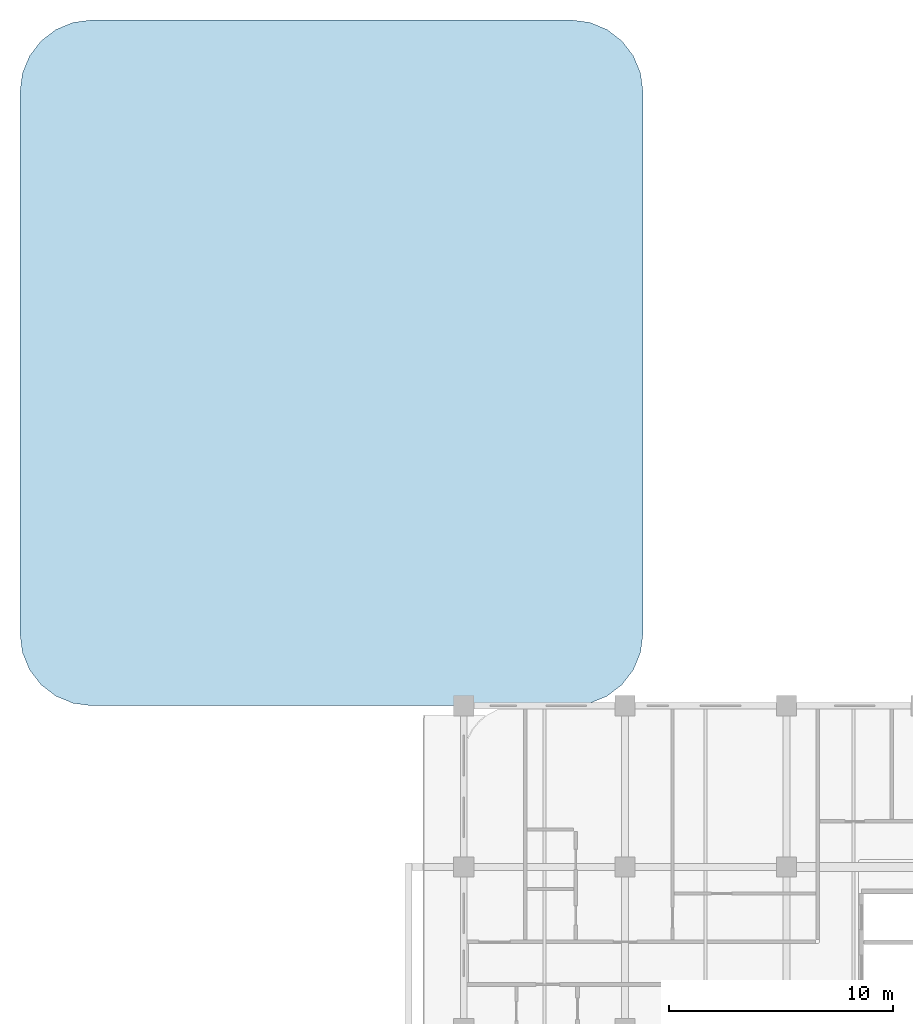
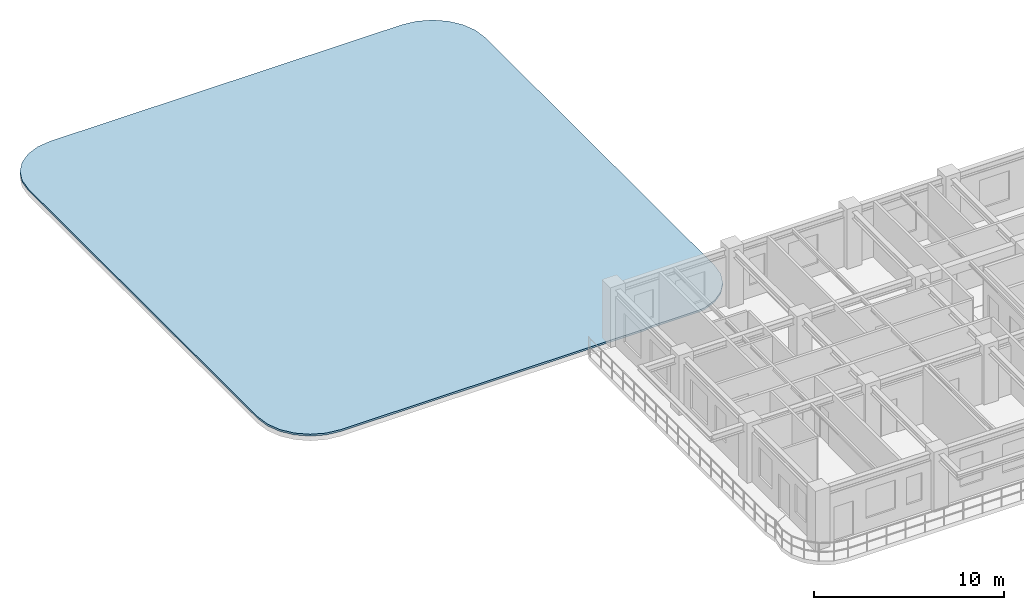
# One storey, part 6 of 8: 1 roof.
"""IFC4 building model written with IfcOpenShell, lengths in metres."""

from ifc_helpers import new_model, si_unit, derived_unit, direction, frame, origin, place, context, subcontext, project, spatial, polyline, outline, extrude, material, layer, layer_set, type_object, element, save


model = new_model("IFC4")

# Units and contexts
model_context = context("Model", 3, precision=1e-05, world=origin(), true_north=direction((0.0, 1.0)))
body_context = subcontext(model_context, "Body", "Model", "MODEL_VIEW")
ifc_project = project(units=[si_unit("LENGTHUNIT", "METRE"), si_unit("AREAUNIT", "SQUARE_METRE"), si_unit("VOLUMEUNIT", "CUBIC_METRE"), si_unit("PLANEANGLEUNIT", "RADIAN"), si_unit("MASSUNIT", "GRAM", prefix="KILO"), si_unit("THERMODYNAMICTEMPERATUREUNIT", "KELVIN"), si_unit("POWERUNIT", "WATT"), derived_unit("THERMALTRANSMITTANCEUNIT", [(si_unit("POWERUNIT", "WATT"), 1), (si_unit("AREAUNIT", "SQUARE_METRE"), -1), (si_unit("THERMODYNAMICTEMPERATUREUNIT", "KELVIN"), -1)])], contexts=[model_context])

# Site, building, storey
site_placement = place(None, origin())
site = spatial("IfcSite", under=ifc_project, at=site_placement, CompositionType="ELEMENT")
building_placement = place(site_placement, origin())
building = spatial("IfcBuilding", under=site, at=building_placement, Name="Zahravan Archway Hotel and Residences", CompositionType="ELEMENT")
storey_placement = place(building_placement, frame((0.0, 0.0, 213.449951171875)))
storey = spatial("IfcBuildingStorey", under=building, at=storey_placement, Name="L53", CompositionType="ELEMENT", Elevation=213.449951171875)

# Roof
ifc_material = material(Name="Insulated Sandstone Ballasted Roof System", Category="masonry")
ifc_layer = layer(ifc_material, 0.1201171875, Name="Insulated Sandstone Ballasted Roof System", Category="masonry")
ifc_layer_set = layer_set([ifc_layer], Name="Insulated Sandstone Ballasted Roof System")
roof_type = type_object("IfcRoofType", Name="RF-CANOPY-FLAT", PredefinedType="FLAT_ROOF", material=ifc_layer_set)
roof_placement = place(storey_placement, origin())
element("IfcRoof", 1, at=roof_placement, inside=storey, type_object=roof_type, Name="Wing B Overhanging Chhajja Roof Assembly", PredefinedType="FLAT_ROOF", context=body_context, shape_type="SweptSolid", body=[
    extrude(outline(polyline([(-2.199951171875, 21.60009765625), (-3.0283203125, 21.708984375), (-3.800048828125, 22.02880859375), (-4.462646484375, 22.537353515625), (-4.97119140625, 23.199951171875), (-5.291015625, 23.9716796875), (-5.39990234375, 24.800048828125), (-5.39990234375, 49.0), (-5.291015625, 49.828125), (-4.97119140625, 50.60009765625), (-4.462646484375, 51.2626953125), (-3.800048828125, 51.771240234375), (-3.0283203125, 52.091064453125), (-2.199951171875, 52.199951171875), (19.199951171875, 52.199951171875), (20.0283203125, 52.091064453125), (20.800048828125, 51.771240234375), (21.462646484375, 51.2626953125), (21.97119140625, 50.60009765625), (22.291015625, 49.828125), (22.39990234375, 49.0), (22.39990234375, 24.800048828125), (22.291015625, 23.9716796875), (21.97119140625, 23.199951171875), (21.462646484375, 22.537353515625), (20.800048828125, 22.02880859375), (20.0283203125, 21.708984375), (19.656005859375, 21.659912109375), (16.800048828125, 21.659912109375), (16.794189453125, 21.65966796875), (16.325927734375, 21.613525390625), (16.320068359375, 21.61279296875), (16.314453125, 21.611328125), (16.277099609375, 21.60009765625), (-2.199951171875, 21.60009765625)])), origin(), (0.0, 0.0, 1.0), 0.1201171875),
])

save(model, "model.ifc")
